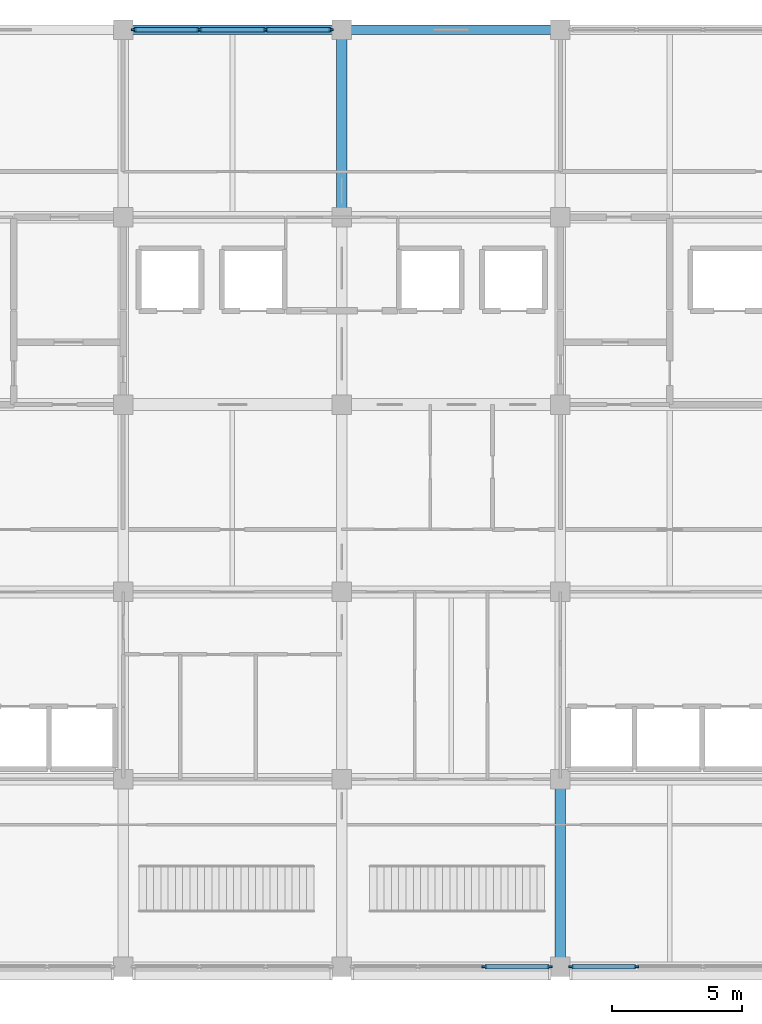
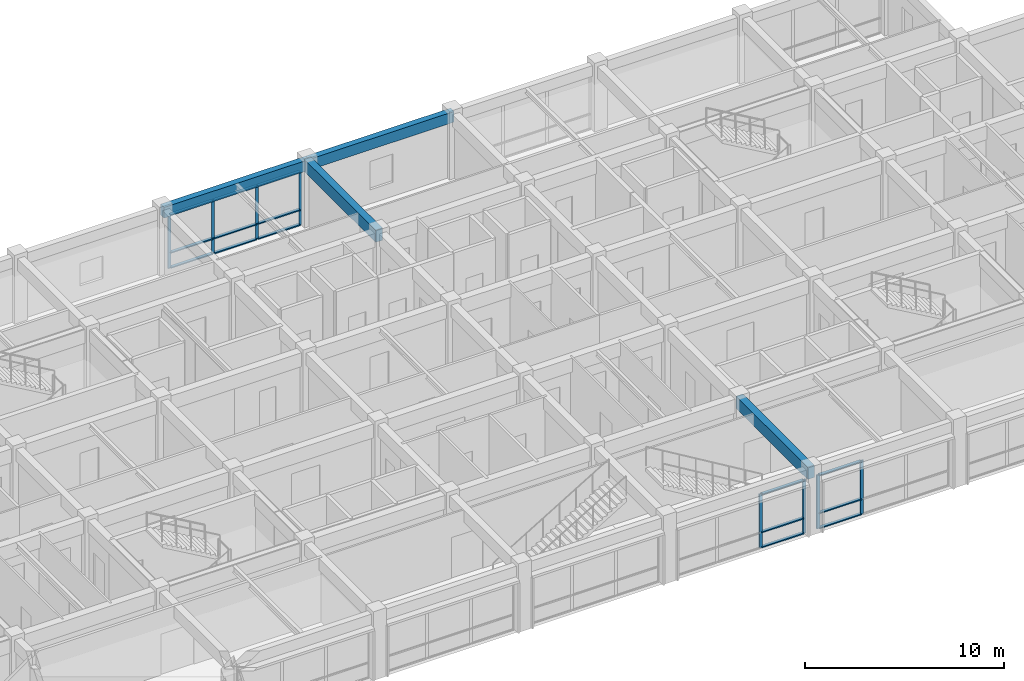
# One storey, part 5 of 27: 23 members, 4 beams, 3 elements without a shape of their own.
"""IFC4 building model written with IfcOpenShell, lengths in metres."""

from ifc_helpers import new_model, si_unit, direction, frame, origin, origin_2d, place, context, subcontext, project, spatial, rectangle, extrude, material, layer, layer_set, material_profile, profile_set, type_object, element, aggregate, save


model = new_model("IFC4")

# Units and contexts
model_context = context("Model", 3, precision=1e-05, world=origin(), true_north=direction((0.0, 1.0)))
body_context = subcontext(model_context, "Body", "Model", "MODEL_VIEW")
ifc_project = project(units=[si_unit("LENGTHUNIT", "METRE"), si_unit("AREAUNIT", "SQUARE_METRE"), si_unit("VOLUMEUNIT", "CUBIC_METRE"), si_unit("PLANEANGLEUNIT", "RADIAN"), si_unit("MASSUNIT", "GRAM", prefix="KILO")], contexts=[model_context])

# Site, building, storey
site_placement = place(None, origin())
site = spatial("IfcSite", under=ifc_project, at=site_placement, CompositionType="ELEMENT")
building_placement = place(site_placement, origin())
building = spatial("IfcBuilding", under=site, at=building_placement, Name="Chengyuan Square Courthouse", CompositionType="ELEMENT")
storey_placement = place(building_placement, frame((0.0, 0.0, 35.10009765625)))
storey = spatial("IfcBuildingStorey", under=building, at=storey_placement, Name="L08", CompositionType="ELEMENT", Elevation=35.10009765625)

# Beams
ifc_material_1 = material(Name="Concrete C40", Category="concrete")
ifc_material_profile_1 = material_profile(ifc_material_1, rectangle(XDim=0.39990234375, YDim=0.75, at=origin_2d()), Name="RC-BM-400x750")
ifc_profile_set_1 = profile_set([ifc_material_profile_1], Name="Concrete C40")
beam_type_1 = type_object("IfcBeamType", Name="BM-02", PredefinedType="USERDEFINED", material=ifc_profile_set_1)
for number, where, z_axis, x_axis, name in (
    (1, (84.0, 108.0, 3.574951171875), (0.0, 1.0, 0.0), (-1.0, 0.0, 0.0), "Girder BM-L08-3854"),
    (2, (92.39990234375, 79.199951171875, 3.574951171875), (0.0, 1.0, 0.0), (-1.0, 0.0, 0.0), "Girder BM-L08-3855"),
):
    element("IfcBeam", number, at=place(storey_placement, frame(where, z_axis=z_axis, x_axis=x_axis)), inside=storey, type_object=beam_type_1, Name=name, ObjectType="GIRDER", PredefinedType="USERDEFINED", context=body_context, shape_type="SweptSolid", body=[
        extrude(rectangle(XDim=0.39990234375, YDim=0.75, at=origin_2d()), origin(), (0.0, 0.0, 1.0), 7.199951171875),
    ])
ifc_material_profile_2 = material_profile(ifc_material_1, rectangle(XDim=0.35009765625, YDim=0.64990234375, at=origin_2d()), Name="RC-BM-350x650")
ifc_profile_set_2 = profile_set([ifc_material_profile_2], Name="Concrete C40")
beam_type_2 = type_object("IfcBeamType", Name="BM-03", PredefinedType="SPANDREL", material=ifc_profile_set_2)
for number, where, z_axis, x_axis, name in (
    (3, (75.60009765625, 115.199951171875, 3.625), (1.0, 0.0, 0.0), (0.0, 1.0, 0.0), "Girder BM-L08-3821"),
    (4, (84.0, 115.199951171875, 3.625), (1.0, 0.0, 0.0), (0.0, 1.0, 0.0), "Girder BM-L08-3822"),
):
    element("IfcBeam", number, at=place(storey_placement, frame(where, z_axis=z_axis, x_axis=x_axis)), inside=storey, type_object=beam_type_2, Name=name, PredefinedType="SPANDREL", context=body_context, shape_type="SweptSolid", body=[
        extrude(rectangle(XDim=0.35009765625, YDim=0.64990234375, at=origin_2d()), origin(), (0.0, 0.0, 1.0), 8.39990234375),
    ])

# Curtain wall, members
ifc_material_2 = material(Name="Unitised Aluminium and Triple Low-E Glass", Category="aluminium")
ifc_layer = layer(ifc_material_2, 0.179931640625)
ifc_layer_set = layer_set([ifc_layer], Name="Unitised Aluminium and Triple Low-E Glass")
curtain_wall_type = type_object("IfcCurtainWallType", Name="CW-22", PredefinedType="USERDEFINED", material=ifc_layer_set)
curtain_wall_1_placement = place(storey_placement, origin())
curtain_wall_1 = element("IfcCurtainWall", 5, at=curtain_wall_1_placement, inside=storey, type_object=curtain_wall_type, Name="Unitised Curtain Wall CW-L08-226", ObjectType="UNITISED CURTAIN WALL", PredefinedType="USERDEFINED")
ifc_material_3 = material(Name="Aluminium 6063-T6 Frame", Category="aluminium")
ifc_material_profile_3 = material_profile(ifc_material_3, rectangle(XDim=0.06494140625, YDim=0.179931640625, at=origin_2d()), Name="CW-MUL-65x180")
ifc_profile_set_3 = profile_set([ifc_material_profile_3], Name="Aluminium 6063-T6 Frame")
member_type_1 = type_object("IfcMemberType", Name="CWM-02", PredefinedType="MULLION", material=ifc_profile_set_3)
member_1_placement = place(storey_placement, frame((76.007568359375, 115.199951171875, 0.0), z_axis=(0.0, 0.0, 1.0), x_axis=(0.0, 1.0, 0.0)))
member_1 = element("IfcMember", 6, at=member_1_placement, type_object=member_type_1, Name="CW-22 mullion 1", PredefinedType="MULLION", context=body_context, shape_type="SweptSolid", body=[
    extrude(rectangle(XDim=0.06494140625, YDim=0.179931640625, at=origin_2d()), origin(), (0.0, 0.0, 1.0), 3.2998046875),
])
member_2_placement = place(storey_placement, frame((78.52490234375, 115.199951171875, 0.0), z_axis=(0.0, 0.0, 1.0), x_axis=(0.0, 1.0, 0.0)))
member_2 = element("IfcMember", 7, at=member_2_placement, type_object=member_type_1, Name="CW-22 mullion 2", PredefinedType="MULLION", context=body_context, shape_type="SweptSolid", body=[
    extrude(rectangle(XDim=0.06494140625, YDim=0.179931640625, at=origin_2d()), origin(), (0.0, 0.0, 1.0), 3.2998046875),
])
member_3_placement = place(storey_placement, frame((81.074951171875, 115.199951171875, 0.0), z_axis=(0.0, 0.0, 1.0), x_axis=(0.0, 1.0, 0.0)))
member_3 = element("IfcMember", 8, at=member_3_placement, type_object=member_type_1, Name="CW-22 mullion 3", PredefinedType="MULLION", context=body_context, shape_type="SweptSolid", body=[
    extrude(rectangle(XDim=0.06494140625, YDim=0.179931640625, at=origin_2d()), origin(), (0.0, 0.0, 1.0), 3.2998046875),
])
member_4_placement = place(storey_placement, frame((83.592529296875, 115.199951171875, 0.0), z_axis=(0.0, 0.0, 1.0), x_axis=(0.0, 1.0, 0.0)))
member_4 = element("IfcMember", 9, at=member_4_placement, type_object=member_type_1, Name="CW-22 mullion 4", PredefinedType="MULLION", context=body_context, shape_type="SweptSolid", body=[
    extrude(rectangle(XDim=0.06494140625, YDim=0.179931640625, at=origin_2d()), origin(), (0.0, 0.0, 1.0), 3.2998046875),
])

curtain_wall_2_placement = place(storey_placement, origin())
curtain_wall_2 = element("IfcCurtainWall", 10, at=curtain_wall_2_placement, inside=storey, type_object=curtain_wall_type, Name="Unitised Curtain Wall CW-L08-227", ObjectType="UNITISED CURTAIN WALL", PredefinedType="USERDEFINED")
member_5_placement = place(storey_placement, frame((89.47509765625, 79.199951171875, 0.0), z_axis=(0.0, 0.0, 1.0), x_axis=(0.0, 1.0, 0.0)))
member_5 = element("IfcMember", 11, at=member_5_placement, type_object=member_type_1, Name="CW-22 mullion 3", PredefinedType="MULLION", context=body_context, shape_type="SweptSolid", body=[
    extrude(rectangle(XDim=0.06494140625, YDim=0.179931640625, at=origin_2d()), origin(), (0.0, 0.0, 1.0), 3.2998046875),
])
member_6_placement = place(storey_placement, frame((91.992431640625, 79.199951171875, 0.0), z_axis=(0.0, 0.0, 1.0), x_axis=(0.0, 1.0, 0.0)))
member_6 = element("IfcMember", 12, at=member_6_placement, type_object=member_type_1, Name="CW-22 mullion 4", PredefinedType="MULLION", context=body_context, shape_type="SweptSolid", body=[
    extrude(rectangle(XDim=0.06494140625, YDim=0.179931640625, at=origin_2d()), origin(), (0.0, 0.0, 1.0), 3.2998046875),
])

curtain_wall_3_placement = place(storey_placement, origin())
curtain_wall_3 = element("IfcCurtainWall", 13, at=curtain_wall_3_placement, inside=storey, type_object=curtain_wall_type, Name="Unitised Curtain Wall CW-L08-228", ObjectType="UNITISED CURTAIN WALL", PredefinedType="USERDEFINED")
member_7_placement = place(storey_placement, frame((92.8076171875, 79.199951171875, 0.0), z_axis=(0.0, 0.0, 1.0), x_axis=(0.0, 1.0, 0.0)))
member_7 = element("IfcMember", 14, at=member_7_placement, type_object=member_type_1, Name="CW-22 mullion 1", PredefinedType="MULLION", context=body_context, shape_type="SweptSolid", body=[
    extrude(rectangle(XDim=0.06494140625, YDim=0.179931640625, at=origin_2d()), origin(), (0.0, 0.0, 1.0), 3.2998046875),
])
member_8_placement = place(storey_placement, frame((95.324951171875, 79.199951171875, 0.0), z_axis=(0.0, 0.0, 1.0), x_axis=(0.0, 1.0, 0.0)))
member_8 = element("IfcMember", 15, at=member_8_placement, type_object=member_type_1, Name="CW-22 mullion 2", PredefinedType="MULLION", context=body_context, shape_type="SweptSolid", body=[
    extrude(rectangle(XDim=0.06494140625, YDim=0.179931640625, at=origin_2d()), origin(), (0.0, 0.0, 1.0), 3.2998046875),
])

# Member
ifc_material_profile_4 = material_profile(ifc_material_3, rectangle(XDim=0.179931640625, YDim=0.06494140625, at=origin_2d()), Name="CW-TRN-65x140")
ifc_profile_set_4 = profile_set([ifc_material_profile_4], Name="Aluminium 6063-T6 Frame")
member_type_2 = type_object("IfcMemberType", Name="CWT-02", PredefinedType="USERDEFINED", material=ifc_profile_set_4)
member_9_placement = place(storey_placement, frame((76.0400390625, 115.199951171875, 0.032470703125), z_axis=(1.0, 0.0, 0.0), x_axis=(0.0, 1.0, 0.0)))
member_9 = element("IfcMember", 16, at=member_9_placement, type_object=member_type_2, Name="CW-22 transom 1.1", ObjectType="TRANSOM", PredefinedType="USERDEFINED", context=body_context, shape_type="SweptSolid", body=[
    extrude(rectangle(XDim=0.179931640625, YDim=0.06494140625, at=origin_2d()), origin(), (0.0, 0.0, 1.0), 2.452392578125),
])

member_10_placement = place(storey_placement, frame((76.0400390625, 115.199951171875, 0.949951171875), z_axis=(1.0, 0.0, 0.0), x_axis=(0.0, 1.0, 0.0)))
member_10 = element("IfcMember", 17, at=member_10_placement, type_object=member_type_2, Name="CW-22 transom 1.2", ObjectType="TRANSOM", PredefinedType="USERDEFINED", context=body_context, shape_type="SweptSolid", body=[
    extrude(rectangle(XDim=0.179931640625, YDim=0.06494140625, at=origin_2d()), origin(), (0.0, 0.0, 1.0), 2.452392578125),
])

member_11_placement = place(storey_placement, frame((76.0400390625, 115.199951171875, 3.267333984375), z_axis=(1.0, 0.0, 0.0), x_axis=(0.0, 1.0, 0.0)))
member_11 = element("IfcMember", 18, at=member_11_placement, type_object=member_type_2, Name="CW-22 transom 1.3", ObjectType="TRANSOM", PredefinedType="USERDEFINED", context=body_context, shape_type="SweptSolid", body=[
    extrude(rectangle(XDim=0.179931640625, YDim=0.06494140625, at=origin_2d()), origin(), (0.0, 0.0, 1.0), 2.452392578125),
])

member_12_placement = place(storey_placement, frame((78.5576171875, 115.199951171875, 0.032470703125), z_axis=(1.0, 0.0, 0.0), x_axis=(0.0, 1.0, 0.0)))
member_12 = element("IfcMember", 19, at=member_12_placement, type_object=member_type_2, Name="CW-22 transom 2.1", ObjectType="TRANSOM", PredefinedType="USERDEFINED", context=body_context, shape_type="SweptSolid", body=[
    extrude(rectangle(XDim=0.179931640625, YDim=0.06494140625, at=origin_2d()), origin(), (0.0, 0.0, 1.0), 2.48486328125),
])

member_13_placement = place(storey_placement, frame((78.5576171875, 115.199951171875, 0.949951171875), z_axis=(1.0, 0.0, 0.0), x_axis=(0.0, 1.0, 0.0)))
member_13 = element("IfcMember", 20, at=member_13_placement, type_object=member_type_2, Name="CW-22 transom 2.2", ObjectType="TRANSOM", PredefinedType="USERDEFINED", context=body_context, shape_type="SweptSolid", body=[
    extrude(rectangle(XDim=0.179931640625, YDim=0.06494140625, at=origin_2d()), origin(), (0.0, 0.0, 1.0), 2.48486328125),
])

member_14_placement = place(storey_placement, frame((78.5576171875, 115.199951171875, 3.267333984375), z_axis=(1.0, 0.0, 0.0), x_axis=(0.0, 1.0, 0.0)))
member_14 = element("IfcMember", 21, at=member_14_placement, type_object=member_type_2, Name="CW-22 transom 2.3", ObjectType="TRANSOM", PredefinedType="USERDEFINED", context=body_context, shape_type="SweptSolid", body=[
    extrude(rectangle(XDim=0.179931640625, YDim=0.06494140625, at=origin_2d()), origin(), (0.0, 0.0, 1.0), 2.48486328125),
])

member_15_placement = place(storey_placement, frame((81.107421875, 115.199951171875, 0.032470703125), z_axis=(1.0, 0.0, 0.0), x_axis=(0.0, 1.0, 0.0)))
member_15 = element("IfcMember", 22, at=member_15_placement, type_object=member_type_2, Name="CW-22 transom 3.1", ObjectType="TRANSOM", PredefinedType="USERDEFINED", context=body_context, shape_type="SweptSolid", body=[
    extrude(rectangle(XDim=0.179931640625, YDim=0.06494140625, at=origin_2d()), origin(), (0.0, 0.0, 1.0), 2.45263671875),
])

member_16_placement = place(storey_placement, frame((81.107421875, 115.199951171875, 0.949951171875), z_axis=(1.0, 0.0, 0.0), x_axis=(0.0, 1.0, 0.0)))
member_16 = element("IfcMember", 23, at=member_16_placement, type_object=member_type_2, Name="CW-22 transom 3.2", ObjectType="TRANSOM", PredefinedType="USERDEFINED", context=body_context, shape_type="SweptSolid", body=[
    extrude(rectangle(XDim=0.179931640625, YDim=0.06494140625, at=origin_2d()), origin(), (0.0, 0.0, 1.0), 2.45263671875),
])

member_17_placement = place(storey_placement, frame((81.107421875, 115.199951171875, 3.267333984375), z_axis=(1.0, 0.0, 0.0), x_axis=(0.0, 1.0, 0.0)))
member_17 = element("IfcMember", 24, at=member_17_placement, type_object=member_type_2, Name="CW-22 transom 3.3", ObjectType="TRANSOM", PredefinedType="USERDEFINED", context=body_context, shape_type="SweptSolid", body=[
    extrude(rectangle(XDim=0.179931640625, YDim=0.06494140625, at=origin_2d()), origin(), (0.0, 0.0, 1.0), 2.45263671875),
])

aggregate(curtain_wall_1, [member_1, member_2, member_3, member_4, member_9, member_10, member_11, member_12, member_13, member_14, member_15, member_16, member_17])

member_18_placement = place(storey_placement, frame((89.507568359375, 79.199951171875, 0.032470703125), z_axis=(1.0, 0.0, 0.0), x_axis=(0.0, 1.0, 0.0)))
member_18 = element("IfcMember", 25, at=member_18_placement, type_object=member_type_2, Name="CW-22 transom 3.1", ObjectType="TRANSOM", PredefinedType="USERDEFINED", context=body_context, shape_type="SweptSolid", body=[
    extrude(rectangle(XDim=0.179931640625, YDim=0.06494140625, at=origin_2d()), origin(), (0.0, 0.0, 1.0), 2.452392578125),
])

member_19_placement = place(storey_placement, frame((89.507568359375, 79.199951171875, 0.949951171875), z_axis=(1.0, 0.0, 0.0), x_axis=(0.0, 1.0, 0.0)))
member_19 = element("IfcMember", 26, at=member_19_placement, type_object=member_type_2, Name="CW-22 transom 3.2", ObjectType="TRANSOM", PredefinedType="USERDEFINED", context=body_context, shape_type="SweptSolid", body=[
    extrude(rectangle(XDim=0.179931640625, YDim=0.06494140625, at=origin_2d()), origin(), (0.0, 0.0, 1.0), 2.452392578125),
])

member_20_placement = place(storey_placement, frame((89.507568359375, 79.199951171875, 3.267333984375), z_axis=(1.0, 0.0, 0.0), x_axis=(0.0, 1.0, 0.0)))
member_20 = element("IfcMember", 27, at=member_20_placement, type_object=member_type_2, Name="CW-22 transom 3.3", ObjectType="TRANSOM", PredefinedType="USERDEFINED", context=body_context, shape_type="SweptSolid", body=[
    extrude(rectangle(XDim=0.179931640625, YDim=0.06494140625, at=origin_2d()), origin(), (0.0, 0.0, 1.0), 2.452392578125),
])

aggregate(curtain_wall_2, [member_5, member_6, member_18, member_19, member_20])

member_21_placement = place(storey_placement, frame((92.840087890625, 79.199951171875, 0.032470703125), z_axis=(1.0, 0.0, 0.0), x_axis=(0.0, 1.0, 0.0)))
member_21 = element("IfcMember", 28, at=member_21_placement, type_object=member_type_2, Name="CW-22 transom 1.1", ObjectType="TRANSOM", PredefinedType="USERDEFINED", context=body_context, shape_type="SweptSolid", body=[
    extrude(rectangle(XDim=0.179931640625, YDim=0.06494140625, at=origin_2d()), origin(), (0.0, 0.0, 1.0), 2.452392578125),
])

member_22_placement = place(storey_placement, frame((92.840087890625, 79.199951171875, 0.949951171875), z_axis=(1.0, 0.0, 0.0), x_axis=(0.0, 1.0, 0.0)))
member_22 = element("IfcMember", 29, at=member_22_placement, type_object=member_type_2, Name="CW-22 transom 1.2", ObjectType="TRANSOM", PredefinedType="USERDEFINED", context=body_context, shape_type="SweptSolid", body=[
    extrude(rectangle(XDim=0.179931640625, YDim=0.06494140625, at=origin_2d()), origin(), (0.0, 0.0, 1.0), 2.452392578125),
])

member_23_placement = place(storey_placement, frame((92.840087890625, 79.199951171875, 3.267333984375), z_axis=(1.0, 0.0, 0.0), x_axis=(0.0, 1.0, 0.0)))
member_23 = element("IfcMember", 30, at=member_23_placement, type_object=member_type_2, Name="CW-22 transom 1.3", ObjectType="TRANSOM", PredefinedType="USERDEFINED", context=body_context, shape_type="SweptSolid", body=[
    extrude(rectangle(XDim=0.179931640625, YDim=0.06494140625, at=origin_2d()), origin(), (0.0, 0.0, 1.0), 2.452392578125),
])

aggregate(curtain_wall_3, [member_7, member_8, member_21, member_22, member_23])

save(model, "model.ifc")
